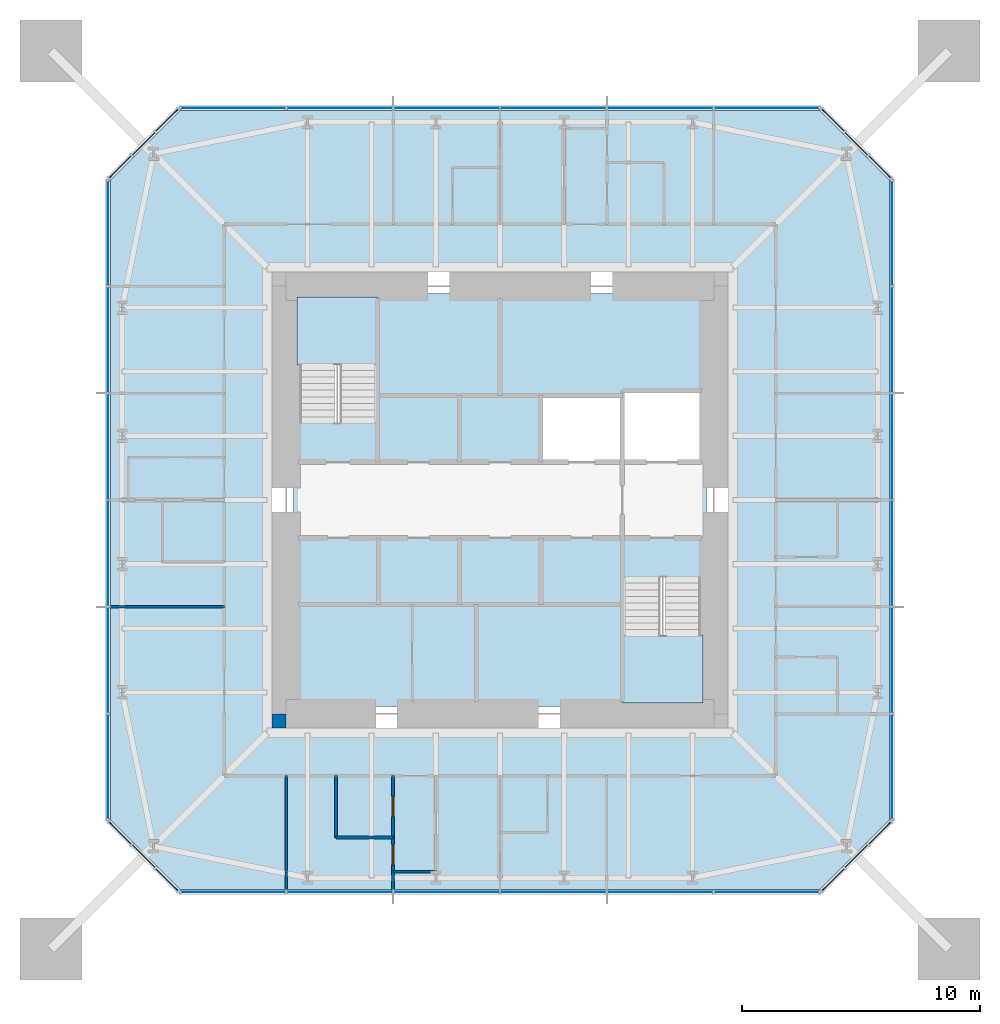
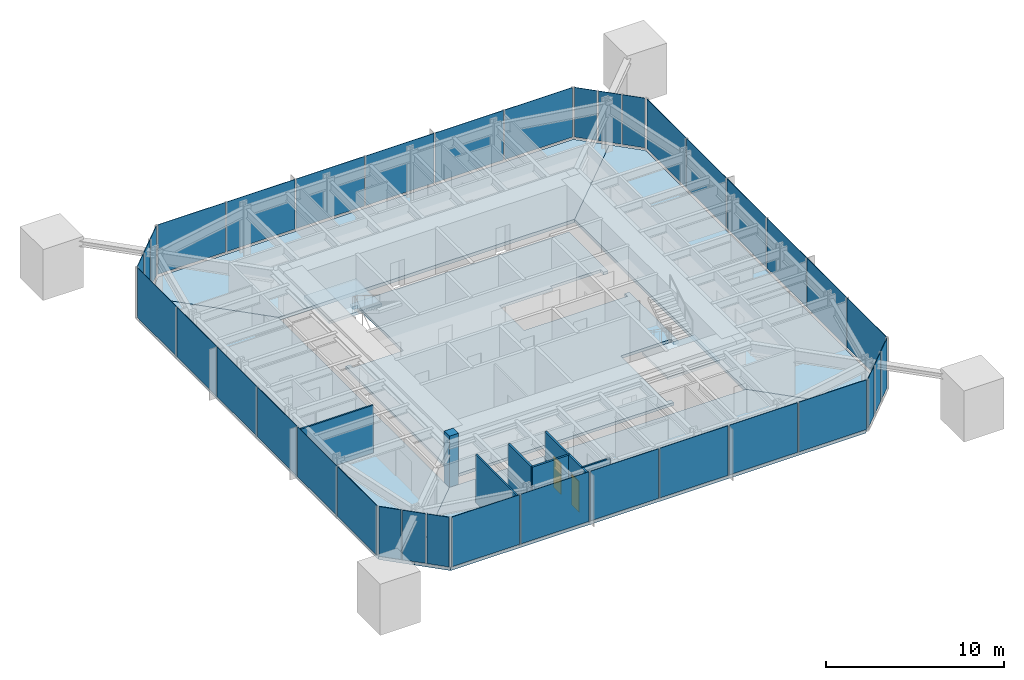
# One storey, part 5 of 9: 36 plates, 7 slabs, 7 walls, 2 doors, 2 openings, 10 elements without a shape of their own.
"""IFC4 building model written with IfcOpenShell, lengths in metres."""

import ifcopenshell
import ifcopenshell.guid

model = None  # the IFC model being written
_history = None  # IfcOwnerHistory: only IFC2X3 demands one
_inside = {}  # id of a spatial element -> (the spatial element, [elements in it])
_under = {}  # id of a project, library or spatial element -> (it, [spatial elements below it])
_declared = {}  # id of a project -> (the project, [libraries it declares])
_typed = {}  # id of a type object -> (the type object, [elements of that type])
_made_of = {}  # id of a material, layer set ... -> (it, [elements and type objects made of it])


def new_model(schema):
    """Start an empty IFC model of exactly this schema.

    Asked for "IFC4X3", IfcOpenShell would pick the latest addendum, in which some entities
    have other attributes; the version numbers below select the first issue.
    IFC2X3 requires an IfcOwnerHistory on every rooted entity: one is made here for all.
    """
    global model, _history
    if schema == "IFC4X3":
        model = ifcopenshell.file(schema_version=(4, 3, 0, 0))
    else:
        model = ifcopenshell.file(schema=schema)
    _inside.clear()
    _under.clear()
    _declared.clear()
    _typed.clear()
    _made_of.clear()
    _history = None
    if model.schema == "IFC2X3":
        org = make("IfcOrganization", Name="unknown")
        user = make(
            "IfcPersonAndOrganization",
            ThePerson=make("IfcPerson", FamilyName="unknown"),
            TheOrganization=org,
        )
        app = make(
            "IfcApplication",
            ApplicationDeveloper=org,
            Version="unknown",
            ApplicationFullName="unknown",
            ApplicationIdentifier="unknown",
        )
        _history = make(
            "IfcOwnerHistory",
            OwningUser=user,
            OwningApplication=app,
            ChangeAction="ADDED",
            CreationDate=0,
        )
    return model


def make(cls, **values):
    """One entity of the class cls with the attributes given. An attribute that is None is left unset."""
    return model.create_entity(
        cls, **{name: value for name, value in values.items() if value is not None}
    )


def rooted(cls, **values):
    """An entity with a GlobalId (a new one), such as an element, a storey or a relation."""
    return make(cls, GlobalId=ifcopenshell.guid.new(), OwnerHistory=_history, **values)


def si_unit(unit_type, name, prefix=None):
    """IfcSIUnit, for example si_unit("LENGTHUNIT", "METRE", prefix="MILLI")."""
    return make("IfcSIUnit", UnitType=unit_type, Prefix=prefix, Name=name)


def assignment(units):
    """IfcUnitAssignment: the units of a project."""
    return None if units is None else make("IfcUnitAssignment", Units=units)


def point(xyz):
    """IfcCartesianPoint."""
    return None if xyz is None else make("IfcCartesianPoint", Coordinates=xyz)


def direction(xyz):
    """IfcDirection."""
    return None if xyz is None else make("IfcDirection", DirectionRatios=xyz)


def frame(location, z_axis=None, x_axis=None):
    """IfcAxis2Placement3D, a coordinate frame: its origin and axes. An axis left out is left unset."""
    return make(
        "IfcAxis2Placement3D",
        Location=point(location),
        Axis=direction(z_axis),
        RefDirection=direction(x_axis),
    )


def frame_2d(location, x_axis=None):
    """IfcAxis2Placement2D, a coordinate frame in the plane: its origin and x axis."""
    return make(
        "IfcAxis2Placement2D", Location=point(location), RefDirection=direction(x_axis)
    )


def origin():
    """The frame at (0, 0, 0) with its axes left unset."""
    return frame((0.0, 0.0, 0.0))


def origin_2d():
    """The frame at (0, 0) in the plane with its x axis left unset."""
    return frame_2d((0.0, 0.0))


def place(relative_to, where):
    """IfcLocalPlacement: puts the frame where relative to a parent placement (None: the world)."""
    return make(
        "IfcLocalPlacement", PlacementRelTo=relative_to, RelativePlacement=where
    )


def context(
    kind, dimensions, precision=None, world=None, true_north=None, identifier=None
):
    """IfcGeometricRepresentationContext, for example the 3D "Model" context."""
    return make(
        "IfcGeometricRepresentationContext",
        ContextIdentifier=identifier,
        ContextType=kind,
        CoordinateSpaceDimension=dimensions,
        Precision=precision,
        WorldCoordinateSystem=world,
        TrueNorth=true_north,
    )


def subcontext(parent, identifier, kind, view, scale=None):
    """IfcGeometricRepresentationSubContext, for example "Body" below "Model"."""
    return make(
        "IfcGeometricRepresentationSubContext",
        ContextIdentifier=identifier,
        ContextType=kind,
        ParentContext=parent,
        TargetScale=scale,
        TargetView=view,
    )


def project(units=None, contexts=None):
    """IfcProject with its units and contexts."""
    return rooted(
        "IfcProject",
        Name="project",
        RepresentationContexts=contexts,
        UnitsInContext=assignment(units),
    )


def spatial(cls, under=None, at=None, **own):
    """A site, building, storey or space (cls), placed at a placement, below another one or the project."""
    s = rooted(cls, ObjectPlacement=at, **own)
    if under is not None:
        _under.setdefault(under.id(), (under, []))[1].append(s)
    return s


def polyline(points):
    """IfcPolyline through the points."""
    return make("IfcPolyline", Points=[point(p) for p in points])


def profile(cls, at=None, kind="AREA", **sizes):
    """A parametric profile (cls). Its sizes go by their IFC names, for example OverallWidth=200.0."""
    return make(cls, ProfileType=kind, Position=at, **sizes)


def rectangle(**sizes):
    """IfcRectangleProfileDef."""
    return profile("IfcRectangleProfileDef", **sizes)


def outline(outer, holes=None, kind="AREA"):
    """IfcArbitraryClosedProfileDef: a profile drawn as a closed curve; with holes, ...WithVoids."""
    if holes is None:
        return make("IfcArbitraryClosedProfileDef", ProfileType=kind, OuterCurve=outer)
    return make(
        "IfcArbitraryProfileDefWithVoids",
        ProfileType=kind,
        OuterCurve=outer,
        InnerCurves=holes,
    )


def extrude(swept, where, along, depth):
    """IfcExtrudedAreaSolid: the profile swept, set in the frame where, extruded along a direction by depth."""
    return make(
        "IfcExtrudedAreaSolid",
        SweptArea=swept,
        Position=where,
        ExtrudedDirection=direction(along),
        Depth=depth,
    )


def shape(context_of_items, identifier, shape_type, items):
    """IfcShapeRepresentation: the items that make up one representation, for example the "Body"."""
    return make(
        "IfcShapeRepresentation",
        ContextOfItems=context_of_items,
        RepresentationIdentifier=identifier,
        RepresentationType=shape_type,
        Items=items,
    )


def material(Name=None, Category=None):
    """IfcMaterial."""
    return make("IfcMaterial", Name=Name, Category=Category)


def layer(
    of_material, thickness, ventilated=None, Name=None, Category=None, Priority=None
):
    """IfcMaterialLayer: one layer of a wall or slab, of a material (None: an air gap)."""
    return make(
        "IfcMaterialLayer",
        Material=of_material,
        LayerThickness=thickness,
        IsVentilated=ventilated,
        Name=Name,
        Category=Category,
        Priority=Priority,
    )


def layer_set(layers, Name=None):
    """IfcMaterialLayerSet."""
    return make("IfcMaterialLayerSet", MaterialLayers=layers, LayerSetName=Name)


def constituent(of_material, Name=None, Category=None, fraction=None):
    """IfcMaterialConstituent: one of the materials an element consists of."""
    return make(
        "IfcMaterialConstituent",
        Name=Name,
        Material=of_material,
        Fraction=fraction,
        Category=Category,
    )


def constituent_set(constituents=None, Name=None):
    """IfcMaterialConstituentSet."""
    return make(
        "IfcMaterialConstituentSet", Name=Name, MaterialConstituents=constituents
    )


def made_of(thing, what):
    """Note that an element or type object is made of a material, layer set ...; save() writes the relation."""
    if what is not None:
        _made_of.setdefault(what.id(), (what, []))[1].append(thing)
    return thing


def type_object(cls, material=None, **own):
    """A type object (cls), such as IfcWallType, which elements share."""
    return made_of(rooted(cls, **own), material)


def element(
    cls,
    number,
    at=None,
    inside=None,
    cuts=None,
    type_object=None,
    material=None,
    context=None,
    identifier="Body",
    shape_type=None,
    held_by="IfcProductDefinitionShape",
    body=None,
    shapes=None,
    **own,
):
    """One element of the class cls, such as IfcWall. Its Tag is "e" and its number.

    at: its placement. inside: the storey or other place that contains it. cuts: it is an
    opening in that element (IfcRelVoidsElement). A single representation is given by context,
    identifier, shape_type and body (its items); several are given by shapes. held_by: the class
    of the entity that holds the representations. save() writes the other relations.
    """
    e = rooted(cls, Tag="e%d" % number, ObjectPlacement=at, **own)
    if body is not None:
        shapes = [shape(context, identifier, shape_type, body)]
    if shapes is not None:
        e.Representation = make(held_by, Representations=shapes)
    if inside is not None:
        _inside.setdefault(inside.id(), (inside, []))[1].append(e)
    if cuts is not None:
        rooted(
            "IfcRelVoidsElement", RelatingBuildingElement=cuts, RelatedOpeningElement=e
        )
    if type_object is not None:
        _typed.setdefault(type_object.id(), (type_object, []))[1].append(e)
    return made_of(e, material)


def fill(opening, filler):
    """IfcRelFillsElement: the door or window that sits in an opening."""
    return rooted(
        "IfcRelFillsElement",
        RelatingOpeningElement=opening,
        RelatedBuildingElement=filler,
    )


def aggregate(whole, parts):
    """IfcRelAggregates: a whole, such as a stair, and the parts it consists of."""
    return rooted("IfcRelAggregates", RelatingObject=whole, RelatedObjects=parts)


def save(model, path):
    """Write the relations noted so far, then the file.

    IfcRelAggregates (storeys below a building ...), IfcRelContainedInSpatialStructure (elements
    in a storey), IfcRelDefinesByType, IfcRelAssociatesMaterial and IfcRelDeclares: one each for
    every whole, place, type object, material and project.
    """
    for whole, parts in _under.values():
        aggregate(whole, parts)
    for where, things in _inside.values():
        rooted(
            "IfcRelContainedInSpatialStructure",
            RelatedElements=things,
            RelatingStructure=where,
        )
    for kind, things in _typed.values():
        rooted("IfcRelDefinesByType", RelatedObjects=things, RelatingType=kind)
    for what, things in _made_of.values():
        rooted("IfcRelAssociatesMaterial", RelatedObjects=things, RelatingMaterial=what)
    for by, libraries in _declared.values():
        rooted("IfcRelDeclares", RelatingContext=by, RelatedDefinitions=libraries)
    model.write(path)


model = new_model("IFC4")

# Units and contexts
model_context = context("Model", 3, precision=1e-05, world=origin(), true_north=direction((0.0, 1.0)))
body_context = subcontext(model_context, "Body", "Model", "MODEL_VIEW")
ifc_project = project(units=[si_unit("LENGTHUNIT", "METRE"), si_unit("AREAUNIT", "SQUARE_METRE"), si_unit("VOLUMEUNIT", "CUBIC_METRE"), si_unit("PLANEANGLEUNIT", "RADIAN"), si_unit("MASSUNIT", "GRAM", prefix="KILO")], contexts=[model_context])

# Site, building, storey
site_placement = place(None, origin())
site = spatial("IfcSite", under=ifc_project, at=site_placement, CompositionType="ELEMENT")
building_placement = place(site_placement, origin())
building = spatial("IfcBuilding", under=site, at=building_placement, Name="Iwan Alto Co-Living Towers", CompositionType="ELEMENT")
storey_placement = place(building_placement, frame((0.0, 0.0, 257.0)))
storey = spatial("IfcBuildingStorey", under=building, at=storey_placement, Name="L70", CompositionType="ELEMENT", Elevation=257.0)

# Slab
ifc_material_1 = material(Name="Concrete f'c 30 MPa", Category="concrete")
ifc_layer_1 = layer(ifc_material_1, 0.199951171875)
ifc_layer_set_1 = layer_set([ifc_layer_1], Name="CORE FLOOR SLAB 200")
slab_type_1 = type_object("IfcSlabType", Name="CORE FLOOR SLAB 200", PredefinedType="FLOOR", material=ifc_layer_set_1)
slab_1_placement = place(storey_placement, frame((0.0, 0.0, -0.199951171875)))
element("IfcSlab", 1, at=slab_1_placement, inside=storey, type_object=slab_type_1, Name="T1 core floor L70", PredefinedType="FLOOR", context=body_context, shape_type="SweptSolid", body=[
    extrude(outline(polyline([(-8.699951171875, 3.580078125), (-8.39990234375, 3.580078125), (-8.39990234375, 3.27001953125), (-5.14990234375, 3.27001953125), (-5.14990234375, 8.39990234375), (-5.4599609375, 8.39990234375), (-5.4599609375, 8.699951171875), (8.699951171875, 8.699951171875), (8.699951171875, 4.2900390625), (8.39990234375, 4.2900390625), (8.39990234375, 4.60009765625), (5.14990234375, 4.60009765625), (5.14990234375, 4.39990234375), (1.717041015625, 4.39990234375), (1.717041015625, 1.60009765625), (5.14990234375, 1.60009765625), (8.39990234375, 1.60009765625), (8.39990234375, 1.909912109375), (8.699951171875, 1.909912109375), (8.699951171875, -3.580078125), (8.39990234375, -3.580078125), (8.39990234375, -3.27001953125), (5.14990234375, -3.27001953125), (5.14990234375, -8.39990234375), (5.4599609375, -8.39990234375), (5.4599609375, -8.699951171875), (-8.699951171875, -8.699951171875), (-8.699951171875, 3.580078125)])), origin(), (0.0, 0.0, 1.0), 0.199951171875),
])

# Curtain wall, plates
ifc_material_2 = material(Name="Bronze aluminium unitised frame", Category="aluminium")
curtain_wall_type_1 = type_object("IfcCurtainWallType", Name="CURTAIN WALL CW-A", PredefinedType="NOTDEFINED", material=ifc_material_2)
curtain_wall_1_placement = place(storey_placement, origin())
curtain_wall_1 = element("IfcCurtainWall", 2, at=curtain_wall_1_placement, inside=storey, type_object=curtain_wall_type_1, Name="T1 curtain wall S L70", PredefinedType="NOTDEFINED")
ifc_material_3 = material(Name="Bronze-tinted insulating glass", Category="glass")
ifc_layer_2 = layer(ifc_material_3, 0.031982421875)
ifc_layer_set_2 = layer_set([ifc_layer_2], Name="CW-A PANEL TINTED IGU 32")
plate_type_1 = type_object("IfcPlateType", Name="CW-A PANEL TINTED IGU 32", PredefinedType="CURTAIN_PANEL", material=ifc_layer_set_2)
plate_1_placement = place(storey_placement, frame((-11.22998046875, -16.5, 0.10009765625), z_axis=(0.0, 0.0, 1.0), x_axis=(1.0, 0.0, 0.0)))
plate_1 = element("IfcPlate", 3, at=plate_1_placement, type_object=plate_type_1, Name="CW-A panel 1.1", PredefinedType="CURTAIN_PANEL", context=body_context, shape_type="SweptSolid", body=[
    extrude(rectangle(XDim=4.3798828125, YDim=0.031982421875, at=origin_2d()), origin(), (0.0, 0.0, 1.0), 3.39990234375),
])
plate_2_placement = place(storey_placement, frame((-6.75, -16.5, 0.10009765625), z_axis=(0.0, 0.0, 1.0), x_axis=(1.0, 0.0, 0.0)))
plate_2 = element("IfcPlate", 4, at=plate_2_placement, type_object=plate_type_1, Name="CW-A panel 2.1", PredefinedType="CURTAIN_PANEL", context=body_context, shape_type="SweptSolid", body=[
    extrude(rectangle(XDim=4.419921875, YDim=0.031982421875, at=origin_2d()), origin(), (0.0, 0.0, 1.0), 3.39990234375),
])
plate_3_placement = place(storey_placement, frame((-2.25, -16.5, 0.10009765625), z_axis=(0.0, 0.0, 1.0), x_axis=(1.0, 0.0, 0.0)))
plate_3 = element("IfcPlate", 5, at=plate_3_placement, type_object=plate_type_1, Name="CW-A panel 3.1", PredefinedType="CURTAIN_PANEL", context=body_context, shape_type="SweptSolid", body=[
    extrude(rectangle(XDim=4.419921875, YDim=0.031982421875, at=origin_2d()), origin(), (0.0, 0.0, 1.0), 3.39990234375),
])
plate_4_placement = place(storey_placement, frame((2.25, -16.5, 0.10009765625), z_axis=(0.0, 0.0, 1.0), x_axis=(1.0, 0.0, 0.0)))
plate_4 = element("IfcPlate", 6, at=plate_4_placement, type_object=plate_type_1, Name="CW-A panel 4.1", PredefinedType="CURTAIN_PANEL", context=body_context, shape_type="SweptSolid", body=[
    extrude(rectangle(XDim=4.419921875, YDim=0.031982421875, at=origin_2d()), origin(), (0.0, 0.0, 1.0), 3.39990234375),
])
plate_5_placement = place(storey_placement, frame((6.75, -16.5, 0.10009765625), z_axis=(0.0, 0.0, 1.0), x_axis=(1.0, 0.0, 0.0)))
plate_5 = element("IfcPlate", 7, at=plate_5_placement, type_object=plate_type_1, Name="CW-A panel 5.1", PredefinedType="CURTAIN_PANEL", context=body_context, shape_type="SweptSolid", body=[
    extrude(rectangle(XDim=4.419921875, YDim=0.031982421875, at=origin_2d()), origin(), (0.0, 0.0, 1.0), 3.39990234375),
])
plate_6_placement = place(storey_placement, frame((11.22998046875, -16.5, 0.10009765625), z_axis=(0.0, 0.0, 1.0), x_axis=(1.0, 0.0, 0.0)))
plate_6 = element("IfcPlate", 8, at=plate_6_placement, type_object=plate_type_1, Name="CW-A panel 6.1", PredefinedType="CURTAIN_PANEL", context=body_context, shape_type="SweptSolid", body=[
    extrude(rectangle(XDim=4.3798828125, YDim=0.031982421875, at=origin_2d()), origin(), (0.0, 0.0, 1.0), 3.39990234375),
])
aggregate(curtain_wall_1, [plate_1, plate_2, plate_3, plate_4, plate_5, plate_6])

curtain_wall_2_placement = place(storey_placement, origin())
curtain_wall_2 = element("IfcCurtainWall", 9, at=curtain_wall_2_placement, inside=storey, type_object=curtain_wall_type_1, Name="T1 curtain wall E L70", PredefinedType="NOTDEFINED")
plate_7_placement = place(storey_placement, frame((16.5, -11.22998046875, 0.10009765625), z_axis=(0.0, 0.0, 1.0), x_axis=(0.0, 1.0, 0.0)))
plate_7 = element("IfcPlate", 10, at=plate_7_placement, type_object=plate_type_1, Name="CW-A panel 1.1", PredefinedType="CURTAIN_PANEL", context=body_context, shape_type="SweptSolid", body=[
    extrude(rectangle(XDim=4.3798828125, YDim=0.031982421875, at=origin_2d()), origin(), (0.0, 0.0, 1.0), 3.39990234375),
])
plate_8_placement = place(storey_placement, frame((16.5, -6.75, 0.10009765625), z_axis=(0.0, 0.0, 1.0), x_axis=(0.0, 1.0, 0.0)))
plate_8 = element("IfcPlate", 11, at=plate_8_placement, type_object=plate_type_1, Name="CW-A panel 2.1", PredefinedType="CURTAIN_PANEL", context=body_context, shape_type="SweptSolid", body=[
    extrude(rectangle(XDim=4.419921875, YDim=0.031982421875, at=origin_2d()), origin(), (0.0, 0.0, 1.0), 3.39990234375),
])
plate_9_placement = place(storey_placement, frame((16.5, -2.25, 0.10009765625), z_axis=(0.0, 0.0, 1.0), x_axis=(0.0, 1.0, 0.0)))
plate_9 = element("IfcPlate", 12, at=plate_9_placement, type_object=plate_type_1, Name="CW-A panel 3.1", PredefinedType="CURTAIN_PANEL", context=body_context, shape_type="SweptSolid", body=[
    extrude(rectangle(XDim=4.419921875, YDim=0.031982421875, at=origin_2d()), origin(), (0.0, 0.0, 1.0), 3.39990234375),
])
plate_10_placement = place(storey_placement, frame((16.5, 2.25, 0.10009765625), z_axis=(0.0, 0.0, 1.0), x_axis=(0.0, 1.0, 0.0)))
plate_10 = element("IfcPlate", 13, at=plate_10_placement, type_object=plate_type_1, Name="CW-A panel 4.1", PredefinedType="CURTAIN_PANEL", context=body_context, shape_type="SweptSolid", body=[
    extrude(rectangle(XDim=4.419921875, YDim=0.031982421875, at=origin_2d()), origin(), (0.0, 0.0, 1.0), 3.39990234375),
])
plate_11_placement = place(storey_placement, frame((16.5, 6.75, 0.10009765625), z_axis=(0.0, 0.0, 1.0), x_axis=(0.0, 1.0, 0.0)))
plate_11 = element("IfcPlate", 14, at=plate_11_placement, type_object=plate_type_1, Name="CW-A panel 5.1", PredefinedType="CURTAIN_PANEL", context=body_context, shape_type="SweptSolid", body=[
    extrude(rectangle(XDim=4.419921875, YDim=0.031982421875, at=origin_2d()), origin(), (0.0, 0.0, 1.0), 3.39990234375),
])
plate_12_placement = place(storey_placement, frame((16.5, 11.22998046875, 0.10009765625), z_axis=(0.0, 0.0, 1.0), x_axis=(0.0, 1.0, 0.0)))
plate_12 = element("IfcPlate", 15, at=plate_12_placement, type_object=plate_type_1, Name="CW-A panel 6.1", PredefinedType="CURTAIN_PANEL", context=body_context, shape_type="SweptSolid", body=[
    extrude(rectangle(XDim=4.3798828125, YDim=0.031982421875, at=origin_2d()), origin(), (0.0, 0.0, 1.0), 3.39990234375),
])
aggregate(curtain_wall_2, [plate_7, plate_8, plate_9, plate_10, plate_11, plate_12])

curtain_wall_3_placement = place(storey_placement, origin())
curtain_wall_3 = element("IfcCurtainWall", 16, at=curtain_wall_3_placement, inside=storey, type_object=curtain_wall_type_1, Name="T1 curtain wall N L70", PredefinedType="NOTDEFINED")
plate_13_placement = place(storey_placement, frame((11.22998046875, 16.5, 0.10009765625), z_axis=(0.0, 0.0, 1.0), x_axis=(-1.0, 0.0, 0.0)))
plate_13 = element("IfcPlate", 17, at=plate_13_placement, type_object=plate_type_1, Name="CW-A panel 1.1", PredefinedType="CURTAIN_PANEL", context=body_context, shape_type="SweptSolid", body=[
    extrude(rectangle(XDim=4.3798828125, YDim=0.031982421875, at=origin_2d()), origin(), (0.0, 0.0, 1.0), 3.39990234375),
])
plate_14_placement = place(storey_placement, frame((6.75, 16.5, 0.10009765625), z_axis=(0.0, 0.0, 1.0), x_axis=(-1.0, 0.0, 0.0)))
plate_14 = element("IfcPlate", 18, at=plate_14_placement, type_object=plate_type_1, Name="CW-A panel 2.1", PredefinedType="CURTAIN_PANEL", context=body_context, shape_type="SweptSolid", body=[
    extrude(rectangle(XDim=4.419921875, YDim=0.031982421875, at=origin_2d()), origin(), (0.0, 0.0, 1.0), 3.39990234375),
])
plate_15_placement = place(storey_placement, frame((2.25, 16.5, 0.10009765625), z_axis=(0.0, 0.0, 1.0), x_axis=(-1.0, 0.0, 0.0)))
plate_15 = element("IfcPlate", 19, at=plate_15_placement, type_object=plate_type_1, Name="CW-A panel 3.1", PredefinedType="CURTAIN_PANEL", context=body_context, shape_type="SweptSolid", body=[
    extrude(rectangle(XDim=4.419921875, YDim=0.031982421875, at=origin_2d()), origin(), (0.0, 0.0, 1.0), 3.39990234375),
])
plate_16_placement = place(storey_placement, frame((-2.25, 16.5, 0.10009765625), z_axis=(0.0, 0.0, 1.0), x_axis=(-1.0, 0.0, 0.0)))
plate_16 = element("IfcPlate", 20, at=plate_16_placement, type_object=plate_type_1, Name="CW-A panel 4.1", PredefinedType="CURTAIN_PANEL", context=body_context, shape_type="SweptSolid", body=[
    extrude(rectangle(XDim=4.419921875, YDim=0.031982421875, at=origin_2d()), origin(), (0.0, 0.0, 1.0), 3.39990234375),
])
plate_17_placement = place(storey_placement, frame((-6.75, 16.5, 0.10009765625), z_axis=(0.0, 0.0, 1.0), x_axis=(-1.0, 0.0, 0.0)))
plate_17 = element("IfcPlate", 21, at=plate_17_placement, type_object=plate_type_1, Name="CW-A panel 5.1", PredefinedType="CURTAIN_PANEL", context=body_context, shape_type="SweptSolid", body=[
    extrude(rectangle(XDim=4.419921875, YDim=0.031982421875, at=origin_2d()), origin(), (0.0, 0.0, 1.0), 3.39990234375),
])
plate_18_placement = place(storey_placement, frame((-11.22998046875, 16.5, 0.10009765625), z_axis=(0.0, 0.0, 1.0), x_axis=(-1.0, 0.0, 0.0)))
plate_18 = element("IfcPlate", 22, at=plate_18_placement, type_object=plate_type_1, Name="CW-A panel 6.1", PredefinedType="CURTAIN_PANEL", context=body_context, shape_type="SweptSolid", body=[
    extrude(rectangle(XDim=4.3798828125, YDim=0.031982421875, at=origin_2d()), origin(), (0.0, 0.0, 1.0), 3.39990234375),
])
aggregate(curtain_wall_3, [plate_13, plate_14, plate_15, plate_16, plate_17, plate_18])

curtain_wall_4_placement = place(storey_placement, origin())
curtain_wall_4 = element("IfcCurtainWall", 23, at=curtain_wall_4_placement, inside=storey, type_object=curtain_wall_type_1, Name="T1 curtain wall W L70", PredefinedType="NOTDEFINED")
plate_19_placement = place(storey_placement, frame((-16.5, 11.22998046875, 0.10009765625), z_axis=(0.0, 0.0, 1.0), x_axis=(0.0, -1.0, 0.0)))
plate_19 = element("IfcPlate", 24, at=plate_19_placement, type_object=plate_type_1, Name="CW-A panel 1.1", PredefinedType="CURTAIN_PANEL", context=body_context, shape_type="SweptSolid", body=[
    extrude(rectangle(XDim=4.3798828125, YDim=0.031982421875, at=origin_2d()), origin(), (0.0, 0.0, 1.0), 3.39990234375),
])
plate_20_placement = place(storey_placement, frame((-16.5, 6.75, 0.10009765625), z_axis=(0.0, 0.0, 1.0), x_axis=(0.0, -1.0, 0.0)))
plate_20 = element("IfcPlate", 25, at=plate_20_placement, type_object=plate_type_1, Name="CW-A panel 2.1", PredefinedType="CURTAIN_PANEL", context=body_context, shape_type="SweptSolid", body=[
    extrude(rectangle(XDim=4.419921875, YDim=0.031982421875, at=origin_2d()), origin(), (0.0, 0.0, 1.0), 3.39990234375),
])
plate_21_placement = place(storey_placement, frame((-16.5, 2.25, 0.10009765625), z_axis=(0.0, 0.0, 1.0), x_axis=(0.0, -1.0, 0.0)))
plate_21 = element("IfcPlate", 26, at=plate_21_placement, type_object=plate_type_1, Name="CW-A panel 3.1", PredefinedType="CURTAIN_PANEL", context=body_context, shape_type="SweptSolid", body=[
    extrude(rectangle(XDim=4.419921875, YDim=0.031982421875, at=origin_2d()), origin(), (0.0, 0.0, 1.0), 3.39990234375),
])
plate_22_placement = place(storey_placement, frame((-16.5, -2.25, 0.10009765625), z_axis=(0.0, 0.0, 1.0), x_axis=(0.0, -1.0, 0.0)))
plate_22 = element("IfcPlate", 27, at=plate_22_placement, type_object=plate_type_1, Name="CW-A panel 4.1", PredefinedType="CURTAIN_PANEL", context=body_context, shape_type="SweptSolid", body=[
    extrude(rectangle(XDim=4.419921875, YDim=0.031982421875, at=origin_2d()), origin(), (0.0, 0.0, 1.0), 3.39990234375),
])
plate_23_placement = place(storey_placement, frame((-16.5, -6.75, 0.10009765625), z_axis=(0.0, 0.0, 1.0), x_axis=(0.0, -1.0, 0.0)))
plate_23 = element("IfcPlate", 28, at=plate_23_placement, type_object=plate_type_1, Name="CW-A panel 5.1", PredefinedType="CURTAIN_PANEL", context=body_context, shape_type="SweptSolid", body=[
    extrude(rectangle(XDim=4.419921875, YDim=0.031982421875, at=origin_2d()), origin(), (0.0, 0.0, 1.0), 3.39990234375),
])
plate_24_placement = place(storey_placement, frame((-16.5, -11.22998046875, 0.10009765625), z_axis=(0.0, 0.0, 1.0), x_axis=(0.0, -1.0, 0.0)))
plate_24 = element("IfcPlate", 29, at=plate_24_placement, type_object=plate_type_1, Name="CW-A panel 6.1", PredefinedType="CURTAIN_PANEL", context=body_context, shape_type="SweptSolid", body=[
    extrude(rectangle(XDim=4.3798828125, YDim=0.031982421875, at=origin_2d()), origin(), (0.0, 0.0, 1.0), 3.39990234375),
])
aggregate(curtain_wall_4, [plate_19, plate_20, plate_21, plate_22, plate_23, plate_24])

ifc_material_4 = material(Name="Bronze aluminium unitised frame", Category="aluminium")
curtain_wall_type_2 = type_object("IfcCurtainWallType", Name="CURTAIN WALL CW-B", PredefinedType="NOTDEFINED", material=ifc_material_4)
curtain_wall_5_placement = place(storey_placement, origin())
curtain_wall_5 = element("IfcCurtainWall", 30, at=curtain_wall_5_placement, inside=storey, type_object=curtain_wall_type_2, Name="T1 chamfer curtain wall SE L70", PredefinedType="NOTDEFINED")
ifc_material_5 = material(Name="Bronze-tinted insulating glass", Category="glass")
ifc_layer_3 = layer(ifc_material_5, 0.031982421875)
ifc_layer_set_3 = layer_set([ifc_layer_3], Name="CW-B PANEL TINTED IGU 32")
plate_type_2 = type_object("IfcPlateType", Name="CW-B PANEL TINTED IGU 32", PredefinedType="CURTAIN_PANEL", material=ifc_layer_set_3)
plate_25_placement = place(storey_placement, frame((14.01416015625, -15.98583984375, 0.10009765625), z_axis=(0.0, 0.0, 1.0), x_axis=(0.707106781187, 0.707106781187, 0.0)))
plate_25 = element("IfcPlate", 31, at=plate_25_placement, type_object=plate_type_2, Name="CW-B panel 1.1", PredefinedType="CURTAIN_PANEL", context=body_context, shape_type="SweptSolid", body=[
    extrude(rectangle(XDim=1.294189453125, YDim=0.031982421875, at=origin_2d()), origin(), (0.0, 0.0, 1.0), 3.39990234375),
])
plate_26_placement = place(storey_placement, frame((15.0, -15.0, 0.10009765625), z_axis=(0.0, 0.0, 1.0), x_axis=(0.707106781187, 0.707106781187, 0.0)))
plate_26 = element("IfcPlate", 32, at=plate_26_placement, type_object=plate_type_2, Name="CW-B panel 2.1", PredefinedType="CURTAIN_PANEL", context=body_context, shape_type="SweptSolid", body=[
    extrude(rectangle(XDim=1.334228515625, YDim=0.031982421875, at=origin_2d()), origin(), (0.0, 0.0, 1.0), 3.39990234375),
])
plate_27_placement = place(storey_placement, frame((15.98583984375, -14.01416015625, 0.10009765625), z_axis=(0.0, 0.0, 1.0), x_axis=(0.707106781187, 0.707106781187, 0.0)))
plate_27 = element("IfcPlate", 33, at=plate_27_placement, type_object=plate_type_2, Name="CW-B panel 3.1", PredefinedType="CURTAIN_PANEL", context=body_context, shape_type="SweptSolid", body=[
    extrude(rectangle(XDim=1.294189453125, YDim=0.031982421875, at=origin_2d()), origin(), (0.0, 0.0, 1.0), 3.39990234375),
])
aggregate(curtain_wall_5, [plate_25, plate_26, plate_27])

curtain_wall_6_placement = place(storey_placement, origin())
curtain_wall_6 = element("IfcCurtainWall", 34, at=curtain_wall_6_placement, inside=storey, type_object=curtain_wall_type_2, Name="T1 chamfer curtain wall NE L70", PredefinedType="NOTDEFINED")
plate_28_placement = place(storey_placement, frame((15.98583984375, 14.01416015625, 0.10009765625), z_axis=(0.0, 0.0, 1.0), x_axis=(-0.707106781187, 0.707106781187, 0.0)))
plate_28 = element("IfcPlate", 35, at=plate_28_placement, type_object=plate_type_2, Name="CW-B panel 1.1", PredefinedType="CURTAIN_PANEL", context=body_context, shape_type="SweptSolid", body=[
    extrude(rectangle(XDim=1.294189453125, YDim=0.031982421875, at=origin_2d()), origin(), (0.0, 0.0, 1.0), 3.39990234375),
])
plate_29_placement = place(storey_placement, frame((15.0, 15.0, 0.10009765625), z_axis=(0.0, 0.0, 1.0), x_axis=(-0.707106781187, 0.707106781187, 0.0)))
plate_29 = element("IfcPlate", 36, at=plate_29_placement, type_object=plate_type_2, Name="CW-B panel 2.1", PredefinedType="CURTAIN_PANEL", context=body_context, shape_type="SweptSolid", body=[
    extrude(rectangle(XDim=1.334228515625, YDim=0.031982421875, at=origin_2d()), origin(), (0.0, 0.0, 1.0), 3.39990234375),
])
plate_30_placement = place(storey_placement, frame((14.01416015625, 15.98583984375, 0.10009765625), z_axis=(0.0, 0.0, 1.0), x_axis=(-0.707106781187, 0.707106781187, 0.0)))
plate_30 = element("IfcPlate", 37, at=plate_30_placement, type_object=plate_type_2, Name="CW-B panel 3.1", PredefinedType="CURTAIN_PANEL", context=body_context, shape_type="SweptSolid", body=[
    extrude(rectangle(XDim=1.294189453125, YDim=0.031982421875, at=origin_2d()), origin(), (0.0, 0.0, 1.0), 3.39990234375),
])
aggregate(curtain_wall_6, [plate_28, plate_29, plate_30])

curtain_wall_7_placement = place(storey_placement, origin())
curtain_wall_7 = element("IfcCurtainWall", 38, at=curtain_wall_7_placement, inside=storey, type_object=curtain_wall_type_2, Name="T1 chamfer curtain wall NW L70", PredefinedType="NOTDEFINED")
plate_31_placement = place(storey_placement, frame((-14.01416015625, 15.98583984375, 0.10009765625), z_axis=(0.0, 0.0, 1.0), x_axis=(-0.707106781187, -0.707106781187, 0.0)))
plate_31 = element("IfcPlate", 39, at=plate_31_placement, type_object=plate_type_2, Name="CW-B panel 1.1", PredefinedType="CURTAIN_PANEL", context=body_context, shape_type="SweptSolid", body=[
    extrude(rectangle(XDim=1.294189453125, YDim=0.031982421875, at=origin_2d()), origin(), (0.0, 0.0, 1.0), 3.39990234375),
])
plate_32_placement = place(storey_placement, frame((-15.0, 15.0, 0.10009765625), z_axis=(0.0, 0.0, 1.0), x_axis=(-0.707106781187, -0.707106781187, 0.0)))
plate_32 = element("IfcPlate", 40, at=plate_32_placement, type_object=plate_type_2, Name="CW-B panel 2.1", PredefinedType="CURTAIN_PANEL", context=body_context, shape_type="SweptSolid", body=[
    extrude(rectangle(XDim=1.334228515625, YDim=0.031982421875, at=origin_2d()), origin(), (0.0, 0.0, 1.0), 3.39990234375),
])
plate_33_placement = place(storey_placement, frame((-15.98583984375, 14.01416015625, 0.10009765625), z_axis=(0.0, 0.0, 1.0), x_axis=(-0.707106781187, -0.707106781187, 0.0)))
plate_33 = element("IfcPlate", 41, at=plate_33_placement, type_object=plate_type_2, Name="CW-B panel 3.1", PredefinedType="CURTAIN_PANEL", context=body_context, shape_type="SweptSolid", body=[
    extrude(rectangle(XDim=1.294189453125, YDim=0.031982421875, at=origin_2d()), origin(), (0.0, 0.0, 1.0), 3.39990234375),
])
aggregate(curtain_wall_7, [plate_31, plate_32, plate_33])

curtain_wall_8_placement = place(storey_placement, origin())
curtain_wall_8 = element("IfcCurtainWall", 42, at=curtain_wall_8_placement, inside=storey, type_object=curtain_wall_type_2, Name="T1 chamfer curtain wall SW L70", PredefinedType="NOTDEFINED")
plate_34_placement = place(storey_placement, frame((-15.98583984375, -14.01416015625, 0.10009765625), z_axis=(0.0, 0.0, 1.0), x_axis=(0.707106781187, -0.707106781187, 0.0)))
plate_34 = element("IfcPlate", 43, at=plate_34_placement, type_object=plate_type_2, Name="CW-B panel 1.1", PredefinedType="CURTAIN_PANEL", context=body_context, shape_type="SweptSolid", body=[
    extrude(rectangle(XDim=1.294189453125, YDim=0.031982421875, at=origin_2d()), origin(), (0.0, 0.0, 1.0), 3.39990234375),
])
plate_35_placement = place(storey_placement, frame((-15.0, -15.0, 0.10009765625), z_axis=(0.0, 0.0, 1.0), x_axis=(0.707106781187, -0.707106781187, 0.0)))
plate_35 = element("IfcPlate", 44, at=plate_35_placement, type_object=plate_type_2, Name="CW-B panel 2.1", PredefinedType="CURTAIN_PANEL", context=body_context, shape_type="SweptSolid", body=[
    extrude(rectangle(XDim=1.334228515625, YDim=0.031982421875, at=origin_2d()), origin(), (0.0, 0.0, 1.0), 3.39990234375),
])
plate_36_placement = place(storey_placement, frame((-14.01416015625, -15.98583984375, 0.10009765625), z_axis=(0.0, 0.0, 1.0), x_axis=(0.707106781187, -0.707106781187, 0.0)))
plate_36 = element("IfcPlate", 45, at=plate_36_placement, type_object=plate_type_2, Name="CW-B panel 3.1", PredefinedType="CURTAIN_PANEL", context=body_context, shape_type="SweptSolid", body=[
    extrude(rectangle(XDim=1.294189453125, YDim=0.031982421875, at=origin_2d()), origin(), (0.0, 0.0, 1.0), 3.39990234375),
])
aggregate(curtain_wall_8, [plate_34, plate_35, plate_36])

# Stair, slab
ifc_material_6 = material(Name="Steel ASTM A36", Category="steel")
ifc_constituent_1 = constituent(ifc_material_6, Name="Stringers", Category="LoadBearing")
ifc_material_7 = material(Name="Concrete f'c 30 MPa", Category="concrete")
ifc_constituent_2 = constituent(ifc_material_7, Name="Tread fill", Category="Finish")
ifc_constituent_set = constituent_set(constituents=[ifc_constituent_1, ifc_constituent_2], Name="STAIR 3500 TWO-FLIGHT T1 CORE")
stair_type = type_object("IfcStairType", Name="STAIR 3500 TWO-FLIGHT T1 CORE", PredefinedType="HALF_TURN_STAIR", material=ifc_constituent_set)
stair_1_placement = place(storey_placement, origin())
stair_1 = element("IfcStair", 46, at=stair_1_placement, inside=storey, type_object=stair_type, Name="Stair T1-S1 L70 to L71", PredefinedType="HALF_TURN_STAIR")
ifc_material_8 = material(Name="Concrete f'c 30 MPa", Category="concrete")
ifc_layer_4 = layer(ifc_material_8, 0.199951171875)
ifc_layer_set_4 = layer_set([ifc_layer_4], Name="STAIR LANDING 200")
slab_type_2 = type_object("IfcSlabType", Name="STAIR LANDING 200", PredefinedType="LANDING", material=ifc_layer_set_4)
slab_2_placement = place(storey_placement, frame((0.0, 0.0, 1.550048828125)))
slab_2 = element("IfcSlab", 47, at=slab_2_placement, type_object=slab_type_2, Name="T1-S1 landing 1", PredefinedType="LANDING", context=body_context, shape_type="SweptSolid", body=[
    extrude(outline(polyline([(-8.550048828125, 5.68994140625), (-8.550048828125, 8.550048828125), (-5.14990234375, 8.550048828125), (-5.14990234375, 5.68994140625), (-8.550048828125, 5.68994140625)])), origin(), (0.0, 0.0, 1.0), 0.199951171875),
])
aggregate(stair_1, [slab_2])

stair_2_placement = place(storey_placement, origin())
stair_2 = element("IfcStair", 48, at=stair_2_placement, inside=storey, type_object=stair_type, Name="Stair T1-S2 L70 to L71", PredefinedType="HALF_TURN_STAIR")
slab_3_placement = place(storey_placement, frame((0.0, 0.0, 1.550048828125)))
slab_3 = element("IfcSlab", 49, at=slab_3_placement, type_object=slab_type_2, Name="T1-S2 landing 1", PredefinedType="LANDING", context=body_context, shape_type="SweptSolid", body=[
    extrude(outline(polyline([(5.14990234375, -5.68994140625), (5.14990234375, -8.550048828125), (8.550048828125, -8.550048828125), (8.550048828125, -5.68994140625), (5.14990234375, -5.68994140625)])), origin(), (0.0, 0.0, 1.0), 0.199951171875),
])
aggregate(stair_2, [slab_3])

# Slabs
ifc_material_9 = material(Name="Concrete f'c 30 MPa", Category="concrete")
ifc_layer_5 = layer(ifc_material_9, 0.22998046875)
ifc_layer_set_5 = layer_set([ifc_layer_5], Name="T1 FLOOR SLAB 230")
slab_type_3 = type_object("IfcSlabType", Name="T1 FLOOR SLAB 230", PredefinedType="FLOOR", material=ifc_layer_set_5)
slab_4_placement = place(storey_placement, frame((0.0, 0.0, -0.22998046875)))
element("IfcSlab", 50, at=slab_4_placement, inside=storey, type_object=slab_type_3, Name="T1 floor slab L70 S pour", PredefinedType="FLOOR", context=body_context, shape_type="SweptSolid", body=[
    extrude(outline(polyline([(13.44140625, -16.39990234375), (-13.44140625, -16.39990234375), (-14.920654296875, -14.920654296875), (-9.60009765625, -9.60009765625), (9.60009765625, -9.60009765625), (14.920654296875, -14.920654296875), (13.44140625, -16.39990234375)])), origin(), (0.0, 0.0, 1.0), 0.22998046875),
])
slab_5_placement = place(storey_placement, frame((0.0, 0.0, -0.22998046875)))
element("IfcSlab", 51, at=slab_5_placement, inside=storey, type_object=slab_type_3, Name="T1 floor slab L70 E pour", PredefinedType="FLOOR", context=body_context, shape_type="SweptSolid", body=[
    extrude(outline(polyline([(16.39990234375, 13.44140625), (16.39990234375, -13.44140625), (14.920654296875, -14.920654296875), (9.60009765625, -9.60009765625), (9.60009765625, 9.60009765625), (14.920654296875, 14.920654296875), (16.39990234375, 13.44140625)])), origin(), (0.0, 0.0, 1.0), 0.22998046875),
])
slab_6_placement = place(storey_placement, frame((0.0, 0.0, -0.22998046875)))
element("IfcSlab", 52, at=slab_6_placement, inside=storey, type_object=slab_type_3, Name="T1 floor slab L70 N pour", PredefinedType="FLOOR", context=body_context, shape_type="SweptSolid", body=[
    extrude(outline(polyline([(-13.44140625, 16.39990234375), (13.44140625, 16.39990234375), (14.920654296875, 14.920654296875), (9.60009765625, 9.60009765625), (-9.60009765625, 9.60009765625), (-14.920654296875, 14.920654296875), (-13.44140625, 16.39990234375)])), origin(), (0.0, 0.0, 1.0), 0.22998046875),
])
slab_7_placement = place(storey_placement, frame((0.0, 0.0, -0.22998046875)))
element("IfcSlab", 53, at=slab_7_placement, inside=storey, type_object=slab_type_3, Name="T1 floor slab L70 W pour", PredefinedType="FLOOR", context=body_context, shape_type="SweptSolid", body=[
    extrude(outline(polyline([(-16.39990234375, 13.44140625), (-14.920654296875, 14.920654296875), (-9.60009765625, 9.60009765625), (-9.60009765625, -9.60009765625), (-14.920654296875, -14.920654296875), (-16.39990234375, -13.44140625), (-16.39990234375, 13.44140625)])), origin(), (0.0, 0.0, 1.0), 0.22998046875),
])

# Walls
ifc_material_10 = material(Name="Gypsum board")
ifc_layer_6 = layer(ifc_material_10, 0.012451171875, Name="Board", Category="Finish")
ifc_material_11 = material(Name="Steel ASTM A1003 ST33H cold-formed studs", Category="steel")
ifc_layer_7 = layer(ifc_material_11, 0.074951171875, Name="Studs", Category="Framing")
ifc_layer_8 = layer(ifc_material_10, 0.012451171875, Name="Board", Category="Finish")
ifc_layer_set_6 = layer_set([ifc_layer_6, ifc_layer_7, ifc_layer_8], Name="PARTITION 100")
wall_type_1 = type_object("IfcWallType", Name="PARTITION 100", PredefinedType="PARTITIONING", material=ifc_layer_set_6)
wall_1_placement = place(storey_placement, frame((-4.5, -15.64990234375, 0.0), z_axis=(0.0, 0.0, 1.0), x_axis=(1.0, 0.0, 0.0)))
element("IfcWall", 54, at=wall_1_placement, inside=storey, type_object=wall_type_1, Name="Partition L70", PredefinedType="PARTITIONING", context=body_context, shape_type="SweptSolid", body=[
    extrude(rectangle(XDim=1.800048828125, YDim=0.10009765625, at=frame_2d((0.89990234375, 0.0))), origin(), (0.0, 0.0, 1.0), 3.27001953125),
])
for number, where, z_axis, x_axis, name in (
    (55, (-16.43994140625, -4.5, 0.0), (0.0, 0.0, 1.0), (1.0, 0.0, 0.0), "Partition L70"),
    (56, (-9.0, -16.43994140625, 0.0), (0.0, 0.0, 1.0), (0.0, 1.0, 0.0), "Partition L70"),
):
    element("IfcWall", number, at=place(storey_placement, frame(where, z_axis=z_axis, x_axis=x_axis)), inside=storey, type_object=wall_type_1, Name=name, PredefinedType="PARTITIONING", context=body_context, shape_type="SweptSolid", body=[
        extrude(rectangle(XDim=4.83984375, YDim=0.10009765625, at=frame_2d((2.419921875, 0.0))), origin(), (0.0, 0.0, 1.0), 3.27001953125),
    ])
ifc_material_12 = material(Name="Concrete f'c 70 MPa", Category="concrete")
ifc_layer_9 = layer(ifc_material_12, 0.60009765625)
ifc_layer_set_7 = layer_set([ifc_layer_9], Name="T1 CORE CORNER FILL 600")
wall_type_2 = type_object("IfcWallType", Name="T1 CORE CORNER FILL 600", PredefinedType="SOLIDWALL", material=ifc_layer_set_7)
wall_2_placement = place(storey_placement, frame((-9.60009765625, -9.300048828125, 0.0), z_axis=(0.0, 0.0, 1.0), x_axis=(1.0, 0.0, 0.0)))
element("IfcWall", 57, at=wall_2_placement, inside=storey, type_object=wall_type_2, Name="T1 core corner SW L70", PredefinedType="SOLIDWALL", context=body_context, shape_type="SweptSolid", body=[
    extrude(rectangle(XDim=0.60009765625, YDim=0.60009765625, at=frame_2d((0.300048828125, 0.0))), origin(), (0.0, 0.0, 1.0), 3.5),
])
ifc_material_13 = material(Name="Cement board")
ifc_layer_10 = layer(ifc_material_13, 0.012451171875, Name="Board", Category="Finish")
ifc_layer_11 = layer(ifc_material_11, 0.094970703125, Name="Studs", Category="Framing")
ifc_layer_12 = layer(ifc_material_13, 0.012451171875, Name="Board", Category="Finish")
ifc_layer_set_8 = layer_set([ifc_layer_10, ifc_layer_11, ifc_layer_12], Name="WET AREA PARTITION 120")
wall_type_3 = type_object("IfcWallType", Name="WET AREA PARTITION 120", PredefinedType="PARTITIONING", material=ifc_layer_set_8)
wall_3_placement = place(storey_placement, frame((-6.89990234375, -14.199951171875, 0.0), z_axis=(0.0, 0.0, 1.0), x_axis=(1.0, 0.0, 0.0)))
element("IfcWall", 58, at=wall_3_placement, inside=storey, type_object=wall_type_3, Name="Partition L70", PredefinedType="PARTITIONING", context=body_context, shape_type="SweptSolid", body=[
    extrude(rectangle(XDim=2.39990234375, YDim=0.1201171875, at=frame_2d((1.199951171875, 0.0))), origin(), (0.0, 0.0, 1.0), 3.27001953125),
])

# Wall, openings, doors
wall_4_placement = place(storey_placement, frame((-4.5, -16.43994140625, 0.0), z_axis=(0.0, 0.0, 1.0), x_axis=(0.0, 1.0, 0.0)))
wall_4 = element("IfcWall", 59, at=wall_4_placement, inside=storey, type_object=wall_type_3, Name="Partition L70", PredefinedType="PARTITIONING", context=body_context, shape_type="SweptSolid", body=[
    extrude(rectangle(XDim=4.83984375, YDim=0.1201171875, at=frame_2d((2.419921875, 0.0))), origin(), (0.0, 0.0, 1.0), 3.27001953125),
])
opening_1_placement = place(wall_4_placement, frame((1.090087890625, 0.0, 0.0)))
opening_1 = element("IfcOpeningElement", 60, at=opening_1_placement, cuts=wall_4, Name="Opening D2", PredefinedType="OPENING", context=body_context, shape_type="SweptSolid", body=[
    extrude(rectangle(XDim=0.85009765625, YDim=2.10009765625, at=frame_2d((0.425048828125, 1.050048828125))), frame((0.0, 0.070068359375, 0.0), z_axis=(0.0, -1.0, 0.0), x_axis=(1.0, 0.0, 0.0)), (0.0, 0.0, 1.0), 0.14013671875),
])
opening_2_placement = place(wall_4_placement, frame((3.114990234375, 0.0, 0.0)))
opening_2 = element("IfcOpeningElement", 61, at=opening_2_placement, cuts=wall_4, Name="Opening D2", PredefinedType="OPENING", context=body_context, shape_type="SweptSolid", body=[
    extrude(rectangle(XDim=0.85009765625, YDim=2.10009765625, at=frame_2d((0.425048828125, 1.050048828125))), frame((0.0, 0.070068359375, 0.0), z_axis=(0.0, -1.0, 0.0), x_axis=(1.0, 0.0, 0.0)), (0.0, 0.0, 1.0), 0.14013671875),
])
ifc_material_14 = material(Name="Timber leaf in steel frame", Category="steel")
door_type = type_object("IfcDoorType", Name="ROOM DOOR 850X2100", OperationType="SINGLE_SWING_LEFT", PredefinedType="DOOR", material=ifc_material_14)
door_1_placement = place(opening_1_placement, origin())
door_1 = element("IfcDoor", 62, at=door_1_placement, inside=storey, type_object=door_type, Name="Bedroom door L70", OperationType="SINGLE_SWING_RIGHT", OverallHeight=2.10009765625, OverallWidth=0.85009765625, PredefinedType="DOOR", context=body_context, shape_type="SweptSolid", body=[
    extrude(rectangle(XDim=0.85009765625, YDim=2.10009765625, at=frame_2d((0.425048828125, 1.050048828125))), frame((0.0, 0.02490234375, 0.0), z_axis=(0.0, -1.0, 0.0), x_axis=(1.0, 0.0, 0.0)), (0.0, 0.0, 1.0), 0.050048828125),
])
fill(opening_1, door_1)
door_2_placement = place(opening_2_placement, origin())
door_2 = element("IfcDoor", 63, at=door_2_placement, inside=storey, type_object=door_type, Name="Bathroom door L70", OperationType="SINGLE_SWING_LEFT", OverallHeight=2.10009765625, OverallWidth=0.85009765625, PredefinedType="DOOR", context=body_context, shape_type="SweptSolid", body=[
    extrude(rectangle(XDim=0.85009765625, YDim=2.10009765625, at=frame_2d((0.425048828125, 1.050048828125))), frame((0.0, 0.02490234375, 0.0), z_axis=(0.0, -1.0, 0.0), x_axis=(1.0, 0.0, 0.0)), (0.0, 0.0, 1.0), 0.050048828125),
])
fill(opening_2, door_2)

# Wall
wall_5_placement = place(storey_placement, frame((-6.89990234375, -14.199951171875, 0.0), z_axis=(0.0, 0.0, 1.0), x_axis=(0.0, 1.0, 0.0)))
element("IfcWall", 64, at=wall_5_placement, inside=storey, type_object=wall_type_3, Name="Partition L70", PredefinedType="PARTITIONING", context=body_context, shape_type="SweptSolid", body=[
    extrude(rectangle(XDim=2.599853515625, YDim=0.1201171875, at=frame_2d((1.2998046875, 0.0))), origin(), (0.0, 0.0, 1.0), 3.27001953125),
])

save(model, "model.ifc")
